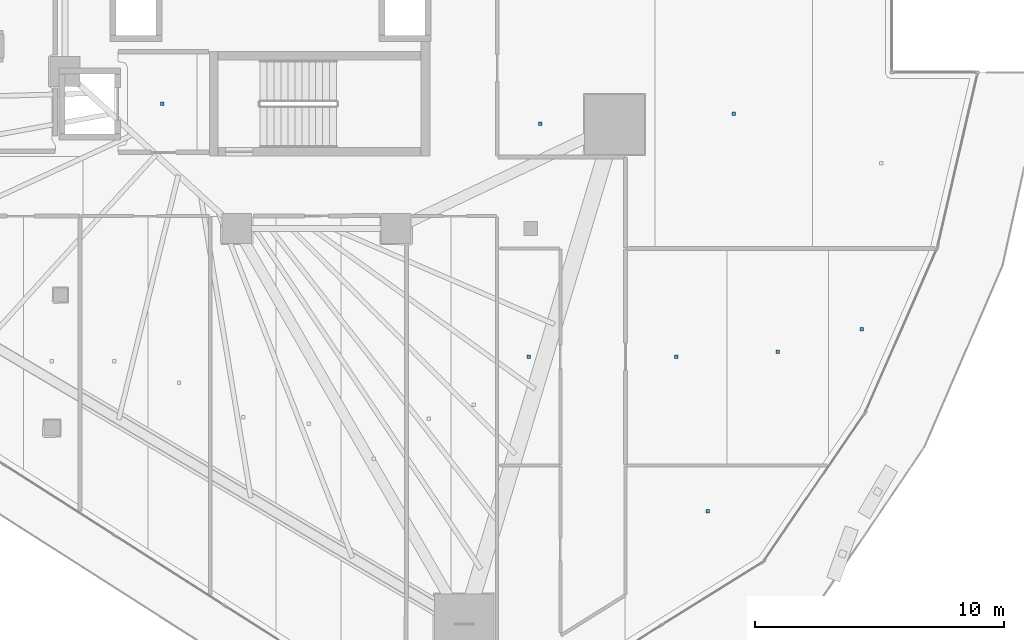
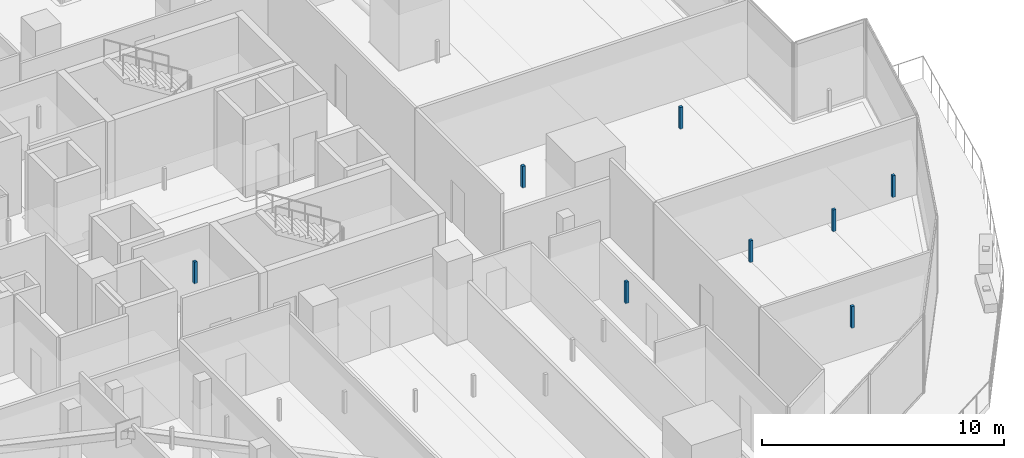
# One storey, part 35 of 47: 8 discrete accessories.
"""IFC4 building model written with IfcOpenShell, lengths in metres."""

from ifc_helpers import new_model, si_unit, direction, frame, origin, origin_2d, place, context, subcontext, project, spatial, rectangle, extrude, material, type_object, element, save


model = new_model("IFC4")

# Units and contexts
model_context = context("Model", 3, precision=1e-05, world=origin(), true_north=direction((0.0, 1.0)))
body_context = subcontext(model_context, "Body", "Model", "MODEL_VIEW")
ifc_project = project(units=[si_unit("LENGTHUNIT", "METRE"), si_unit("AREAUNIT", "SQUARE_METRE"), si_unit("VOLUMEUNIT", "CUBIC_METRE"), si_unit("PLANEANGLEUNIT", "RADIAN"), si_unit("MASSUNIT", "GRAM", prefix="KILO")], contexts=[model_context])

# Site, building, storey
site_placement = place(None, origin())
site = spatial("IfcSite", under=ifc_project, at=site_placement, CompositionType="ELEMENT")
building_placement = place(site_placement, origin())
building = spatial("IfcBuilding", under=site, at=building_placement, Name="Qorvath Tower", CompositionType="ELEMENT")
storey_placement = place(building_placement, frame((0.0, 0.0, 74.39990234375)))
storey = spatial("IfcBuildingStorey", under=building, at=storey_placement, Name="L16", CompositionType="ELEMENT", Elevation=74.39990234375)

# Discrete accessories
ifc_material = material(Name="Galvanised steel bracket", Category="steel")
discrete_accessory_type = type_object("IfcDiscreteAccessoryType", Name="DA-BRACKET", PredefinedType="BRACKET", material=ifc_material)
for number, where, z_axis, x_axis, name in (
    (1, (-26.590087890625, -6.449951171875, 2.85986328125), (0.0, 0.0, 1.0), (1.0, 0.0, 0.0), "Acoustic Ceiling Suspension Hanger T1-L16-002"),
    (2, (-4.685302734375, -22.804931640625, 2.85986328125), (0.0, 0.0, 1.0), (1.0, 0.0, 0.0), "Acoustic Ceiling Suspension Hanger T1-L16-024"),
    (3, (-5.94970703125, -16.603515625, 2.85986328125), (0.0, 0.0, 1.0), (1.0, 0.0, 0.0), "Acoustic Ceiling Suspension Hanger T1-L16-025"),
    (4, (-1.875, -16.397705078125, 2.85986328125), (0.0, 0.0, 1.0), (1.0, 0.0, 0.0), "Acoustic Ceiling Suspension Hanger T1-L16-026"),
    (5, (1.490234375, -15.49267578125, 2.85986328125), (0.0, 0.0, 1.0), (1.0, 0.0, 0.0), "Acoustic Ceiling Suspension Hanger T1-L16-027"),
    (6, (-11.875, -16.603515625, 2.85986328125), (0.0, 0.0, 1.0), (1.0, 0.0, 0.0), "Acoustic Ceiling Suspension Hanger T1-L16-028"),
    (7, (-11.4091796875, -7.255126953125, 2.85986328125), (0.0, 0.0, 1.0), (1.0, 0.0, 0.0), "Acoustic Ceiling Suspension Hanger T1-L16-029"),
    (8, (-3.65283203125, -6.84130859375, 2.85986328125), (0.0, 0.0, 1.0), (1.0, 0.0, 0.0), "Acoustic Ceiling Suspension Hanger T1-L16-030"),
):
    element("IfcDiscreteAccessory", number, at=place(storey_placement, frame(where, z_axis=z_axis, x_axis=x_axis)), inside=storey, type_object=discrete_accessory_type, Name=name, PredefinedType="NOTDEFINED", context=body_context, shape_type="SweptSolid", body=[
        extrude(rectangle(XDim=0.139892578125, YDim=0.139892578125, at=origin_2d()), origin(), (0.0, 0.0, 1.0), 1.090087890625),
    ])

save(model, "model.ifc")
